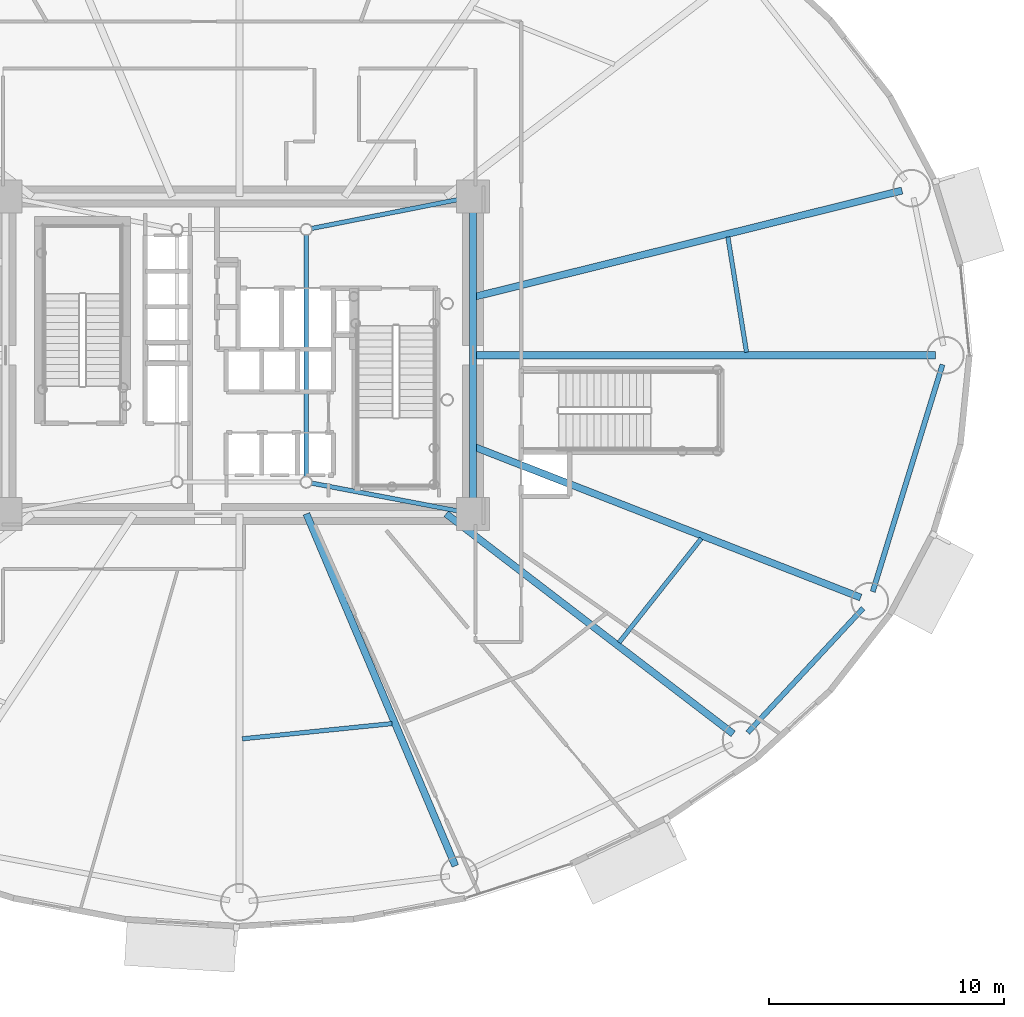
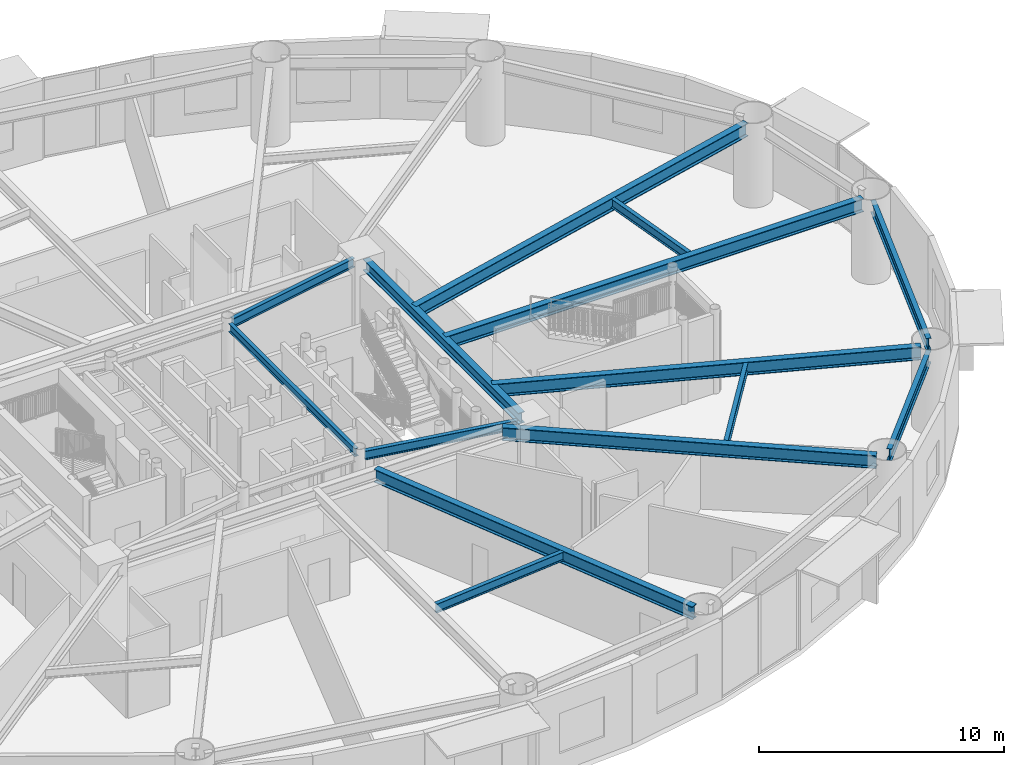
# One storey, part 7 of 28: 14 beams.
"""IFC4 building model written with IfcOpenShell, lengths in metres."""

from ifc_helpers import new_model, si_unit, direction, frame, origin, origin_2d, place, context, subcontext, project, spatial, i_section, extrude, material, material_profile, profile_set, type_object, element, save


model = new_model("IFC4")

# Units and contexts
model_context = context("Model", 3, precision=1e-05, world=origin(), true_north=direction((0.0, 1.0)))
body_context = subcontext(model_context, "Body", "Model", "MODEL_VIEW")
ifc_project = project(units=[si_unit("LENGTHUNIT", "METRE"), si_unit("AREAUNIT", "SQUARE_METRE"), si_unit("VOLUMEUNIT", "CUBIC_METRE"), si_unit("PLANEANGLEUNIT", "RADIAN"), si_unit("MASSUNIT", "GRAM", prefix="KILO")], contexts=[model_context])

# Site, building, storey
site_placement = place(None, origin())
site = spatial("IfcSite", under=ifc_project, at=site_placement, CompositionType="ELEMENT")
building_placement = place(site_placement, origin())
building = spatial("IfcBuilding", under=site, at=building_placement, Name="Linh Dai School and Residence Tower", CompositionType="ELEMENT")
storey_placement = place(building_placement, frame((0.0, 0.0, 36.60009765625)))
storey = spatial("IfcBuildingStorey", under=building, at=storey_placement, Name="L08", CompositionType="ELEMENT", Elevation=36.60009765625)

# Beams
ifc_material = material(Name="Structural Steel S355JR", Category="steel")
ifc_material_profile_1 = material_profile(ifc_material, i_section(OverallWidth=0.219970703125, OverallDepth=0.60009765625, WebThickness=0.011962890625, FlangeThickness=0.01904296875, FilletRadius=0.02392578125, at=origin_2d()), Name="IPE 600")
ifc_profile_set_1 = profile_set([ifc_material_profile_1], Name="Structural Steel S355JR")
beam_type_1 = type_object("IfcBeamType", Name="BM-RB60", PredefinedType="BEAM", material=ifc_profile_set_1)
beam_1_placement = place(storey_placement, frame((57.638427734375, 10.938720703125, 3.64990234375), z_axis=(0.680408287194, 0.732833243458, 0.0), x_axis=(-0.732833243458, 0.680408287194, 0.0)))
element("IfcBeam", 1, at=beam_1_placement, inside=storey, type_object=beam_type_1, Name="L08 Perimeter Elliptical Ring Beam 15", PredefinedType="BEAM", context=body_context, shape_type="SweptSolid", body=[
    extrude(i_section(OverallWidth=0.219970703125, OverallDepth=0.60009765625, WebThickness=0.011962890625, FlangeThickness=0.01904296875, FilletRadius=0.02392578125, at=origin_2d()), origin(), (0.0, 0.0, 1.0), 7.21826171875),
])
beam_2_placement = place(storey_placement, frame((62.958740234375, 16.937744140625, 3.64990234375), z_axis=(0.293673329015, 0.95590584046, 0.0), x_axis=(-0.95590584046, 0.293673329015, 0.0)))
element("IfcBeam", 2, at=beam_2_placement, inside=storey, type_object=beam_type_1, Name="L08 Perimeter Elliptical Ring Beam 16", PredefinedType="BEAM", context=body_context, shape_type="SweptSolid", body=[
    extrude(i_section(OverallWidth=0.219970703125, OverallDepth=0.60009765625, WebThickness=0.011962890625, FlangeThickness=0.01904296875, FilletRadius=0.02392578125, at=origin_2d()), origin(), (0.0, 0.0, 1.0), 10.1064453125),
])
ifc_material_profile_2 = material_profile(ifc_material, i_section(OverallWidth=0.300048828125, OverallDepth=0.550048828125, WebThickness=0.014892578125, FlangeThickness=0.029052734375, FilletRadius=0.027099609375, at=origin_2d()), Name="HEB 550")
ifc_profile_set_2 = profile_set([ifc_material_profile_2], Name="Structural Steel S355JR")
beam_type_2 = type_object("IfcBeamType", Name="BM-RG55", PredefinedType="BEAM", material=ifc_profile_set_2)
beam_3_placement = place(storey_placement, frame((45.949951171875, 20.669921875, 3.6748046875), z_axis=(0.0, 1.0, 0.0), x_axis=(-1.0, 0.0, 0.0)))
element("IfcBeam", 3, at=beam_3_placement, inside=storey, type_object=beam_type_2, Name="L08 Core Perimeter Coupling Girder 2", PredefinedType="BEAM", context=body_context, shape_type="SweptSolid", body=[
    extrude(i_section(OverallWidth=0.300048828125, OverallDepth=0.550048828125, WebThickness=0.014892578125, FlangeThickness=0.029052734375, FilletRadius=0.027099609375, at=origin_2d()), origin(), (0.0, 0.0, 1.0), 12.66015625),
])
ifc_material_profile_3 = material_profile(ifc_material, i_section(OverallWidth=0.300048828125, OverallDepth=0.64990234375, WebThickness=0.01611328125, FlangeThickness=0.031005859375, FilletRadius=0.027099609375, at=origin_2d()), Name="HEB 650")
ifc_profile_set_3 = profile_set([ifc_material_profile_3], Name="Structural Steel S355JR")
beam_type_3 = type_object("IfcBeamType", Name="BM-RG65", PredefinedType="BEAM", material=ifc_profile_set_3)
beam_4_placement = place(storey_placement, frame((45.949951171875, 27.0, 3.625), z_axis=(1.0, 0.0, 0.0), x_axis=(0.0, 1.0, 0.0)))
element("IfcBeam", 4, at=beam_4_placement, inside=storey, type_object=beam_type_3, Name="L08 Primary Radial Floor Girder 01", PredefinedType="BEAM", context=body_context, shape_type="SweptSolid", body=[
    extrude(i_section(OverallWidth=0.300048828125, OverallDepth=0.64990234375, WebThickness=0.01611328125, FlangeThickness=0.031005859375, FilletRadius=0.027099609375, at=origin_2d()), origin(), (0.0, 0.0, 1.0), 19.679931640625),
])
beam_5_placement = place(storey_placement, frame((45.949951171875, 29.47216796875, 3.625), z_axis=(0.970493481328, 0.241127357843, 0.0), x_axis=(-0.241127357843, 0.970493481328, 0.0)))
element("IfcBeam", 5, at=beam_5_placement, inside=storey, type_object=beam_type_3, Name="L08 Primary Radial Floor Girder 02", PredefinedType="BEAM", context=body_context, shape_type="SweptSolid", body=[
    extrude(i_section(OverallWidth=0.300048828125, OverallDepth=0.64990234375, WebThickness=0.01611328125, FlangeThickness=0.031005859375, FilletRadius=0.027099609375, at=origin_2d()), origin(), (0.0, 0.0, 1.0), 18.80810546875),
])
beam_6_placement = place(storey_placement, frame((38.85546875, 20.25, 3.625), z_axis=(0.38962432485, -0.920973878829, 0.0), x_axis=(0.920973878829, 0.38962432485, 0.0)))
element("IfcBeam", 6, at=beam_6_placement, inside=storey, type_object=beam_type_3, Name="L08 Primary Radial Floor Girder 14", PredefinedType="BEAM", context=body_context, shape_type="SweptSolid", body=[
    extrude(i_section(OverallWidth=0.300048828125, OverallDepth=0.64990234375, WebThickness=0.01611328125, FlangeThickness=0.031005859375, FilletRadius=0.027099609375, at=origin_2d()), origin(), (0.0, 0.0, 1.0), 16.2685546875),
])
beam_7_placement = place(storey_placement, frame((44.804931640625, 20.25, 3.625), z_axis=(0.793637764155, -0.608390581212, 0.0), x_axis=(0.608390581212, 0.793637764155, 0.0)))
element("IfcBeam", 7, at=beam_7_placement, inside=storey, type_object=beam_type_3, Name="L08 Primary Radial Floor Girder 15", PredefinedType="BEAM", context=body_context, shape_type="SweptSolid", body=[
    extrude(i_section(OverallWidth=0.300048828125, OverallDepth=0.64990234375, WebThickness=0.01611328125, FlangeThickness=0.031005859375, FilletRadius=0.027099609375, at=origin_2d()), origin(), (0.0, 0.0, 1.0), 15.390625),
])
beam_8_placement = place(storey_placement, frame((45.949951171875, 23.120361328125, 3.625), z_axis=(0.93167509369, -0.363292609061, 0.0), x_axis=(0.363292609061, 0.93167509369, 0.0)))
element("IfcBeam", 8, at=beam_8_placement, inside=storey, type_object=beam_type_3, Name="L08 Primary Radial Floor Girder 16", PredefinedType="BEAM", context=body_context, shape_type="SweptSolid", body=[
    extrude(i_section(OverallWidth=0.300048828125, OverallDepth=0.64990234375, WebThickness=0.01611328125, FlangeThickness=0.031005859375, FilletRadius=0.027099609375, at=origin_2d()), origin(), (0.0, 0.0, 1.0), 17.703857421875),
])
ifc_material_profile_4 = material_profile(ifc_material, i_section(OverallWidth=0.179931640625, OverallDepth=0.39990234375, WebThickness=0.008544921875, FlangeThickness=0.013427734375, FilletRadius=0.02099609375, at=origin_2d()), Name="IPE 400")
ifc_profile_set_4 = profile_set([ifc_material_profile_4], Name="Structural Steel S355JR")
beam_type_4 = type_object("IfcBeamType", Name="BM-SB40", PredefinedType="BEAM", material=ifc_profile_set_4)
beam_9_placement = place(storey_placement, frame((38.85009765625, 21.823974609375, 3.75), z_axis=(0.0, 1.0, 0.0), x_axis=(-1.0, 0.0, 0.0)))
element("IfcBeam", 9, at=beam_9_placement, inside=storey, type_object=beam_type_4, Name="L08 Core Mast Pier Tie Beam 2", PredefinedType="BEAM", context=body_context, shape_type="SweptSolid", body=[
    extrude(i_section(OverallWidth=0.179931640625, OverallDepth=0.39990234375, WebThickness=0.008544921875, FlangeThickness=0.013427734375, FilletRadius=0.02099609375, at=origin_2d()), origin(), (0.0, 0.0, 1.0), 10.302001953125),
])
ifc_material_profile_5 = material_profile(ifc_material, i_section(OverallWidth=0.18994140625, OverallDepth=0.449951171875, WebThickness=0.009521484375, FlangeThickness=0.0146484375, FilletRadius=0.02099609375, at=origin_2d()), Name="IPE 450")
ifc_profile_set_5 = profile_set([ifc_material_profile_5], Name="Structural Steel S355JR")
beam_type_5 = type_object("IfcBeamType", Name="BM-SB45", PredefinedType="BEAM", material=ifc_profile_set_5)
beam_10_placement = place(storey_placement, frame((45.537353515625, 20.328369140625, 3.724853515625), z_axis=(-0.982397918823, 0.186800238471, 0.0), x_axis=(-0.186800238471, -0.982397918823, 0.0)))
element("IfcBeam", 10, at=beam_10_placement, inside=storey, type_object=beam_type_5, Name="L08 Core Corner-to-Mast Pier Beam 2", PredefinedType="BEAM", context=body_context, shape_type="SweptSolid", body=[
    extrude(i_section(OverallWidth=0.18994140625, OverallDepth=0.449951171875, WebThickness=0.009521484375, FlangeThickness=0.0146484375, FilletRadius=0.02099609375, at=origin_2d()), origin(), (0.0, 0.0, 1.0), 6.583251953125),
])
beam_11_placement = place(storey_placement, frame((45.537841796875, 33.668701171875, 3.724853515625), z_axis=(-0.981108354988, -0.193459028666, 0.0), x_axis=(0.193459028666, -0.981108354988, 0.0)))
element("IfcBeam", 11, at=beam_11_placement, inside=storey, type_object=beam_type_5, Name="L08 Core Corner-to-Mast Pier Beam 3", PredefinedType="BEAM", context=body_context, shape_type="SweptSolid", body=[
    extrude(i_section(OverallWidth=0.18994140625, OverallDepth=0.449951171875, WebThickness=0.009521484375, FlangeThickness=0.0146484375, FilletRadius=0.02099609375, at=origin_2d()), origin(), (0.0, 0.0, 1.0), 6.592529296875),
])
beam_12_placement = place(storey_placement, frame((57.587158203125, 27.12841796875, 3.724853515625), z_axis=(-0.159655745546, 0.987172752316, 0.0), x_axis=(-0.987172752316, -0.159655745546, 0.0)))
element("IfcBeam", 12, at=beam_12_placement, inside=storey, type_object=beam_type_5, Name="L08 Secondary Circumferential Floor Beam 01", PredefinedType="BEAM", context=body_context, shape_type="SweptSolid", body=[
    extrude(i_section(OverallWidth=0.18994140625, OverallDepth=0.449951171875, WebThickness=0.009521484375, FlangeThickness=0.0146484375, FilletRadius=0.02099609375, at=origin_2d()), origin(), (0.0, 0.0, 1.0), 4.96826171875),
])
beam_13_placement = place(storey_placement, frame((36.12939453125, 10.67578125, 3.724853515625), z_axis=(0.994886521003, 0.100999061019, 0.0), x_axis=(-0.100999061019, 0.994886521003, 0.0)))
element("IfcBeam", 13, at=beam_13_placement, inside=storey, type_object=beam_type_5, Name="L08 Secondary Circumferential Floor Beam 07", PredefinedType="BEAM", context=body_context, shape_type="SweptSolid", body=[
    extrude(i_section(OverallWidth=0.18994140625, OverallDepth=0.449951171875, WebThickness=0.009521484375, FlangeThickness=0.0146484375, FilletRadius=0.02099609375, at=origin_2d()), origin(), (0.0, 0.0, 1.0), 6.40087890625),
])
beam_14_placement = place(storey_placement, frame((52.163330078125, 14.77294921875, 3.724853515625), z_axis=(0.620205247605, 0.78443957756, 0.0), x_axis=(-0.78443957756, 0.620205247605, 0.0)))
element("IfcBeam", 14, at=beam_14_placement, inside=storey, type_object=beam_type_5, Name="L08 Secondary Circumferential Floor Beam 08", PredefinedType="BEAM", context=body_context, shape_type="SweptSolid", body=[
    extrude(i_section(OverallWidth=0.18994140625, OverallDepth=0.449951171875, WebThickness=0.009521484375, FlangeThickness=0.0146484375, FilletRadius=0.02099609375, at=origin_2d()), origin(), (0.0, 0.0, 1.0), 5.642822265625),
])

save(model, "model.ifc")
